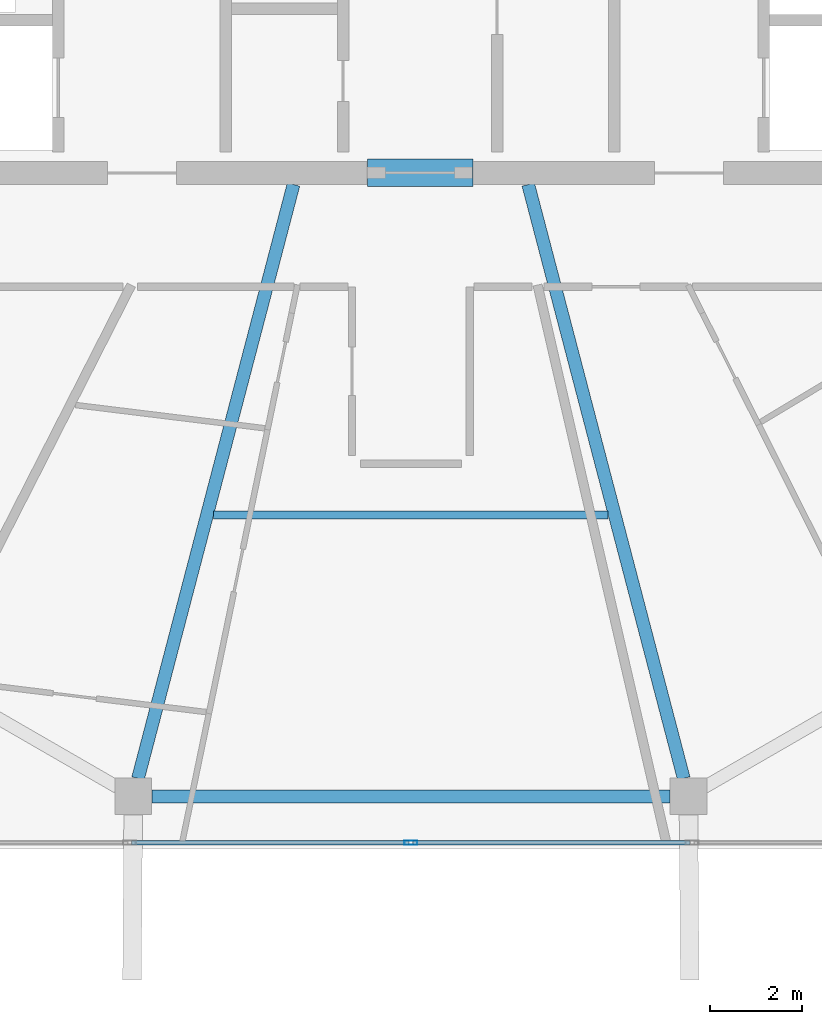
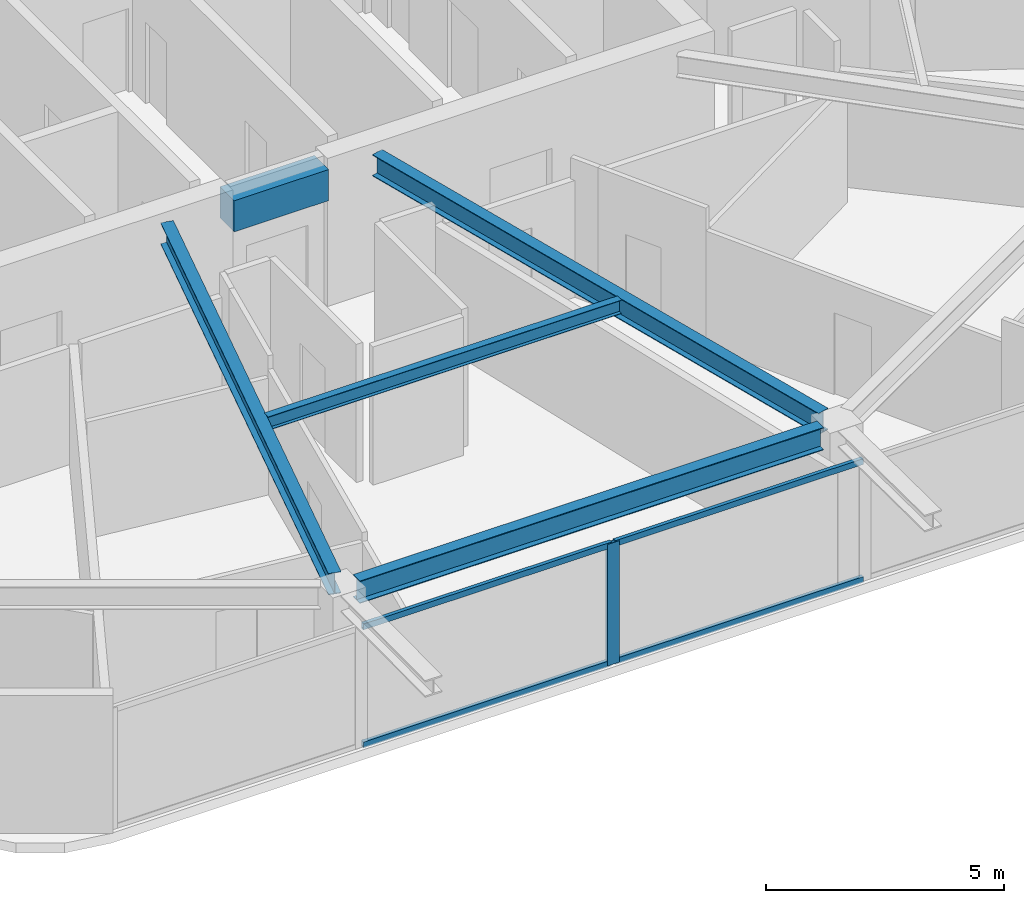
# One storey, part 3 of 21: 5 beams, 5 members, 1 element without a shape of its own.
"""IFC4 building model written with IfcOpenShell, lengths in metres."""

import ifcopenshell
import ifcopenshell.guid

model = None  # the IFC model being written
_history = None  # IfcOwnerHistory: only IFC2X3 demands one
_inside = {}  # id of a spatial element -> (the spatial element, [elements in it])
_under = {}  # id of a project, library or spatial element -> (it, [spatial elements below it])
_declared = {}  # id of a project -> (the project, [libraries it declares])
_typed = {}  # id of a type object -> (the type object, [elements of that type])
_made_of = {}  # id of a material, layer set ... -> (it, [elements and type objects made of it])


def new_model(schema):
    """Start an empty IFC model of exactly this schema.

    Asked for "IFC4X3", IfcOpenShell would pick the latest addendum, in which some entities
    have other attributes; the version numbers below select the first issue.
    IFC2X3 requires an IfcOwnerHistory on every rooted entity: one is made here for all.
    """
    global model, _history
    if schema == "IFC4X3":
        model = ifcopenshell.file(schema_version=(4, 3, 0, 0))
    else:
        model = ifcopenshell.file(schema=schema)
    _inside.clear()
    _under.clear()
    _declared.clear()
    _typed.clear()
    _made_of.clear()
    _history = None
    if model.schema == "IFC2X3":
        org = make("IfcOrganization", Name="unknown")
        user = make(
            "IfcPersonAndOrganization",
            ThePerson=make("IfcPerson", FamilyName="unknown"),
            TheOrganization=org,
        )
        app = make(
            "IfcApplication",
            ApplicationDeveloper=org,
            Version="unknown",
            ApplicationFullName="unknown",
            ApplicationIdentifier="unknown",
        )
        _history = make(
            "IfcOwnerHistory",
            OwningUser=user,
            OwningApplication=app,
            ChangeAction="ADDED",
            CreationDate=0,
        )
    return model


def make(cls, **values):
    """One entity of the class cls with the attributes given. An attribute that is None is left unset."""
    return model.create_entity(
        cls, **{name: value for name, value in values.items() if value is not None}
    )


def rooted(cls, **values):
    """An entity with a GlobalId (a new one), such as an element, a storey or a relation."""
    return make(cls, GlobalId=ifcopenshell.guid.new(), OwnerHistory=_history, **values)


def si_unit(unit_type, name, prefix=None):
    """IfcSIUnit, for example si_unit("LENGTHUNIT", "METRE", prefix="MILLI")."""
    return make("IfcSIUnit", UnitType=unit_type, Prefix=prefix, Name=name)


def assignment(units):
    """IfcUnitAssignment: the units of a project."""
    return None if units is None else make("IfcUnitAssignment", Units=units)


def point(xyz):
    """IfcCartesianPoint."""
    return None if xyz is None else make("IfcCartesianPoint", Coordinates=xyz)


def direction(xyz):
    """IfcDirection."""
    return None if xyz is None else make("IfcDirection", DirectionRatios=xyz)


def frame(location, z_axis=None, x_axis=None):
    """IfcAxis2Placement3D, a coordinate frame: its origin and axes. An axis left out is left unset."""
    return make(
        "IfcAxis2Placement3D",
        Location=point(location),
        Axis=direction(z_axis),
        RefDirection=direction(x_axis),
    )


def frame_2d(location, x_axis=None):
    """IfcAxis2Placement2D, a coordinate frame in the plane: its origin and x axis."""
    return make(
        "IfcAxis2Placement2D", Location=point(location), RefDirection=direction(x_axis)
    )


def origin():
    """The frame at (0, 0, 0) with its axes left unset."""
    return frame((0.0, 0.0, 0.0))


def origin_2d():
    """The frame at (0, 0) in the plane with its x axis left unset."""
    return frame_2d((0.0, 0.0))


def place(relative_to, where):
    """IfcLocalPlacement: puts the frame where relative to a parent placement (None: the world)."""
    return make(
        "IfcLocalPlacement", PlacementRelTo=relative_to, RelativePlacement=where
    )


def context(
    kind, dimensions, precision=None, world=None, true_north=None, identifier=None
):
    """IfcGeometricRepresentationContext, for example the 3D "Model" context."""
    return make(
        "IfcGeometricRepresentationContext",
        ContextIdentifier=identifier,
        ContextType=kind,
        CoordinateSpaceDimension=dimensions,
        Precision=precision,
        WorldCoordinateSystem=world,
        TrueNorth=true_north,
    )


def subcontext(parent, identifier, kind, view, scale=None):
    """IfcGeometricRepresentationSubContext, for example "Body" below "Model"."""
    return make(
        "IfcGeometricRepresentationSubContext",
        ContextIdentifier=identifier,
        ContextType=kind,
        ParentContext=parent,
        TargetScale=scale,
        TargetView=view,
    )


def project(units=None, contexts=None):
    """IfcProject with its units and contexts."""
    return rooted(
        "IfcProject",
        Name="project",
        RepresentationContexts=contexts,
        UnitsInContext=assignment(units),
    )


def spatial(cls, under=None, at=None, **own):
    """A site, building, storey or space (cls), placed at a placement, below another one or the project."""
    s = rooted(cls, ObjectPlacement=at, **own)
    if under is not None:
        _under.setdefault(under.id(), (under, []))[1].append(s)
    return s


def profile(cls, at=None, kind="AREA", **sizes):
    """A parametric profile (cls). Its sizes go by their IFC names, for example OverallWidth=200.0."""
    return make(cls, ProfileType=kind, Position=at, **sizes)


def rectangle(**sizes):
    """IfcRectangleProfileDef."""
    return profile("IfcRectangleProfileDef", **sizes)


def hollow_rectangle(**sizes):
    """IfcRectangleHollowProfileDef."""
    return profile("IfcRectangleHollowProfileDef", **sizes)


def i_section(**sizes):
    """IfcIShapeProfileDef."""
    return profile("IfcIShapeProfileDef", **sizes)


def extrude(swept, where, along, depth):
    """IfcExtrudedAreaSolid: the profile swept, set in the frame where, extruded along a direction by depth."""
    return make(
        "IfcExtrudedAreaSolid",
        SweptArea=swept,
        Position=where,
        ExtrudedDirection=direction(along),
        Depth=depth,
    )


def shape(context_of_items, identifier, shape_type, items):
    """IfcShapeRepresentation: the items that make up one representation, for example the "Body"."""
    return make(
        "IfcShapeRepresentation",
        ContextOfItems=context_of_items,
        RepresentationIdentifier=identifier,
        RepresentationType=shape_type,
        Items=items,
    )


def material(Name=None, Category=None):
    """IfcMaterial."""
    return make("IfcMaterial", Name=Name, Category=Category)


def material_profile(
    of_material, cross_section, Name=None, Category=None, Priority=None
):
    """IfcMaterialProfile: a cross section and its material."""
    return make(
        "IfcMaterialProfile",
        Name=Name,
        Material=of_material,
        Profile=cross_section,
        Priority=Priority,
        Category=Category,
    )


def profile_set(profiles, Name=None, composite=None):
    """IfcMaterialProfileSet."""
    return make(
        "IfcMaterialProfileSet",
        Name=Name,
        MaterialProfiles=profiles,
        CompositeProfile=composite,
    )


def made_of(thing, what):
    """Note that an element or type object is made of a material, layer set ...; save() writes the relation."""
    if what is not None:
        _made_of.setdefault(what.id(), (what, []))[1].append(thing)
    return thing


def type_object(cls, material=None, **own):
    """A type object (cls), such as IfcWallType, which elements share."""
    return made_of(rooted(cls, **own), material)


def element(
    cls,
    number,
    at=None,
    inside=None,
    cuts=None,
    type_object=None,
    material=None,
    context=None,
    identifier="Body",
    shape_type=None,
    held_by="IfcProductDefinitionShape",
    body=None,
    shapes=None,
    **own,
):
    """One element of the class cls, such as IfcWall. Its Tag is "e" and its number.

    at: its placement. inside: the storey or other place that contains it. cuts: it is an
    opening in that element (IfcRelVoidsElement). A single representation is given by context,
    identifier, shape_type and body (its items); several are given by shapes. held_by: the class
    of the entity that holds the representations. save() writes the other relations.
    """
    e = rooted(cls, Tag="e%d" % number, ObjectPlacement=at, **own)
    if body is not None:
        shapes = [shape(context, identifier, shape_type, body)]
    if shapes is not None:
        e.Representation = make(held_by, Representations=shapes)
    if inside is not None:
        _inside.setdefault(inside.id(), (inside, []))[1].append(e)
    if cuts is not None:
        rooted(
            "IfcRelVoidsElement", RelatingBuildingElement=cuts, RelatedOpeningElement=e
        )
    if type_object is not None:
        _typed.setdefault(type_object.id(), (type_object, []))[1].append(e)
    return made_of(e, material)


def aggregate(whole, parts):
    """IfcRelAggregates: a whole, such as a stair, and the parts it consists of."""
    return rooted("IfcRelAggregates", RelatingObject=whole, RelatedObjects=parts)


def save(model, path):
    """Write the relations noted so far, then the file.

    IfcRelAggregates (storeys below a building ...), IfcRelContainedInSpatialStructure (elements
    in a storey), IfcRelDefinesByType, IfcRelAssociatesMaterial and IfcRelDeclares: one each for
    every whole, place, type object, material and project.
    """
    for whole, parts in _under.values():
        aggregate(whole, parts)
    for where, things in _inside.values():
        rooted(
            "IfcRelContainedInSpatialStructure",
            RelatedElements=things,
            RelatingStructure=where,
        )
    for kind, things in _typed.values():
        rooted("IfcRelDefinesByType", RelatedObjects=things, RelatingType=kind)
    for what, things in _made_of.values():
        rooted("IfcRelAssociatesMaterial", RelatedObjects=things, RelatingMaterial=what)
    for by, libraries in _declared.values():
        rooted("IfcRelDeclares", RelatingContext=by, RelatedDefinitions=libraries)
    model.write(path)


model = new_model("IFC4")

# Units and contexts
model_context = context("Model", 3, precision=1e-05, world=origin(), true_north=direction((0.0, 1.0)))
body_context = subcontext(model_context, "Body", "Model", "MODEL_VIEW")
ifc_project = project(units=[si_unit("LENGTHUNIT", "METRE"), si_unit("AREAUNIT", "SQUARE_METRE"), si_unit("VOLUMEUNIT", "CUBIC_METRE"), si_unit("PLANEANGLEUNIT", "RADIAN"), si_unit("MASSUNIT", "GRAM", prefix="KILO")], contexts=[model_context])

# Site, building, storey
site_placement = place(None, origin())
site = spatial("IfcSite", under=ifc_project, at=site_placement, CompositionType="ELEMENT")
building_placement = place(site_placement, origin())
building = spatial("IfcBuilding", under=site, at=building_placement, Name="Zuhravey Tower", CompositionType="ELEMENT")
storey_placement = place(building_placement, frame((0.0, 0.0, 319.60009765625)))
storey = spatial("IfcBuildingStorey", under=building, at=storey_placement, Name="L81", CompositionType="ELEMENT", Elevation=319.60009765625)

# Beam
ifc_material_1 = material(Name="Concrete C50/60", Category="concrete")
ifc_material_profile_1 = material_profile(ifc_material_1, rectangle(XDim=0.60009765625, YDim=0.800048828125, at=origin_2d()), Name="RC-600x800")
ifc_profile_set_1 = profile_set([ifc_material_profile_1], Name="Concrete C50/60")
beam_type_1 = type_object("IfcBeamType", Name="Core Coupling Beam RC600x800", PredefinedType="LINTEL", material=ifc_profile_set_1)
beam_1_placement = place(storey_placement, frame((35.052001953125, 22.5, 3.14990234375), z_axis=(1.0, 0.0, 0.0), x_axis=(0.0, 1.0, 0.0)))
element("IfcBeam", 1, at=beam_1_placement, inside=storey, type_object=beam_type_1, Name="L81 CB2 BM-L81-CB-S", PredefinedType="LINTEL", context=body_context, shape_type="SweptSolid", body=[
    extrude(rectangle(XDim=0.60009765625, YDim=0.800048828125, at=origin_2d()), origin(), (0.0, 0.0, 1.0), 2.2958984375),
])

# Curtain wall, members
ifc_material_2 = material(Name="Thermally broken anodised aluminium", Category="aluminium")
curtain_wall_type = type_object("IfcCurtainWallType", Name="Zone 3-4 High-Rise Curtain Wall CW4", PredefinedType="NOTDEFINED", material=ifc_material_2)
curtain_wall_placement = place(storey_placement, origin())
curtain_wall = element("IfcCurtainWall", 2, at=curtain_wall_placement, inside=storey, type_object=curtain_wall_type, Name="L81 CW4 CW-L81-F5-1", PredefinedType="NOTDEFINED")
ifc_material_3 = material(Name="Anodised aluminium", Category="aluminium")
ifc_material_profile_2 = material_profile(ifc_material_3, hollow_rectangle(XDim=0.090087890625, YDim=0.284912109375, WallThickness=0.0048828125, at=origin_2d()), Name="ALU-RHS-90x285x5")
ifc_profile_set_2 = profile_set([ifc_material_profile_2], Name="Anodised aluminium")
member_type_1 = type_object("IfcMemberType", Name="Curtain-Wall Mullion 90x180", PredefinedType="MULLION", material=ifc_profile_set_2)
member_1_placement = place(storey_placement, frame((36.0, 7.92578125, 0.0), z_axis=(0.0, 0.0, 1.0), x_axis=(0.0, -1.0, 0.0)))
member_1 = element("IfcMember", 3, at=member_1_placement, type_object=member_type_1, Name="CW4 mullion 3", PredefinedType="MULLION", context=body_context, shape_type="SweptSolid", body=[
    extrude(hollow_rectangle(XDim=0.090087890625, YDim=0.284912109375, WallThickness=0.0048828125, at=origin_2d()), origin(), (0.0, 0.0, 1.0), 3.121826171875),
])
ifc_material_profile_3 = material_profile(ifc_material_3, hollow_rectangle(XDim=0.090087890625, YDim=0.14990234375, WallThickness=0.0048828125, at=origin_2d()), Name="ALU-RHS-90x150x5")
ifc_profile_set_3 = profile_set([ifc_material_profile_3], Name="Anodised aluminium")
member_type_2 = type_object("IfcMemberType", Name="Curtain-Wall Transom 90x150", PredefinedType="USERDEFINED", material=ifc_profile_set_3)
member_2_placement = place(storey_placement, frame((42.07470703125, 7.92578125, 0.044921875), z_axis=(-1.0, 0.0, 0.0), x_axis=(0.0, -1.0, 0.0)))
member_2 = element("IfcMember", 4, at=member_2_placement, type_object=member_type_2, Name="CW4 transom 2.1", ObjectType="TRANSOM", PredefinedType="USERDEFINED", context=body_context, shape_type="SweptSolid", body=[
    extrude(hollow_rectangle(XDim=0.090087890625, YDim=0.14990234375, WallThickness=0.0048828125, at=origin_2d()), origin(), (0.0, 0.0, 1.0), 6.02978515625),
])
member_3_placement = place(storey_placement, frame((42.07470703125, 7.92578125, 3.076904296875), z_axis=(-1.0, 0.0, 0.0), x_axis=(0.0, -1.0, 0.0)))
member_3 = element("IfcMember", 5, at=member_3_placement, type_object=member_type_2, Name="CW4 transom 2.2", ObjectType="TRANSOM", PredefinedType="USERDEFINED", context=body_context, shape_type="SweptSolid", body=[
    extrude(hollow_rectangle(XDim=0.090087890625, YDim=0.14990234375, WallThickness=0.0048828125, at=origin_2d()), origin(), (0.0, 0.0, 1.0), 6.02978515625),
])
member_4_placement = place(storey_placement, frame((35.955078125, 7.92578125, 0.044921875), z_axis=(-1.0, 0.0, 0.0), x_axis=(0.0, -1.0, 0.0)))
member_4 = element("IfcMember", 6, at=member_4_placement, type_object=member_type_2, Name="CW4 transom 3.1", ObjectType="TRANSOM", PredefinedType="USERDEFINED", context=body_context, shape_type="SweptSolid", body=[
    extrude(hollow_rectangle(XDim=0.090087890625, YDim=0.14990234375, WallThickness=0.0048828125, at=origin_2d()), origin(), (0.0, 0.0, 1.0), 6.02978515625),
])
member_5_placement = place(storey_placement, frame((35.955078125, 7.92578125, 3.076904296875), z_axis=(-1.0, 0.0, 0.0), x_axis=(0.0, -1.0, 0.0)))
member_5 = element("IfcMember", 7, at=member_5_placement, type_object=member_type_2, Name="CW4 transom 3.2", ObjectType="TRANSOM", PredefinedType="USERDEFINED", context=body_context, shape_type="SweptSolid", body=[
    extrude(hollow_rectangle(XDim=0.090087890625, YDim=0.14990234375, WallThickness=0.0048828125, at=origin_2d()), origin(), (0.0, 0.0, 1.0), 6.02978515625),
])
aggregate(curtain_wall, [member_1, member_2, member_3, member_4, member_5])

# Beams
ifc_material_4 = material(Name="Steel SM355", Category="steel")
ifc_material_profile_4 = material_profile(ifc_material_4, i_section(OverallWidth=0.280029296875, OverallDepth=0.580078125, WebThickness=0.011962890625, FlangeThickness=0.01904296875, at=origin_2d()), Name="H-580x280x12x19")
ifc_profile_set_4 = profile_set([ifc_material_profile_4], Name="Steel SM355")
beam_type_2 = type_object("IfcBeamType", Name="Perimeter Ring Beam H580x280", PredefinedType="BEAM", material=ifc_profile_set_4)
beam_2_placement = place(storey_placement, frame((30.3642578125, 8.935791015625, 3.260009765625), z_axis=(1.0, 0.0, 0.0), x_axis=(0.0, 1.0, 0.0)))
element("IfcBeam", 8, at=beam_2_placement, inside=storey, type_object=beam_type_2, Name="L81 PB4 BM-L81-PB-09", PredefinedType="BEAM", context=body_context, shape_type="SweptSolid", body=[
    extrude(i_section(OverallWidth=0.280029296875, OverallDepth=0.580078125, WebThickness=0.011962890625, FlangeThickness=0.01904296875, at=origin_2d()), origin(), (0.0, 0.0, 1.0), 11.271484375),
])
ifc_material_profile_5 = material_profile(ifc_material_4, i_section(OverallWidth=0.280029296875, OverallDepth=0.550048828125, WebThickness=0.010986328125, FlangeThickness=0.01806640625, at=origin_2d()), Name="H-550x280x11x18")
ifc_profile_set_5 = profile_set([ifc_material_profile_5], Name="Steel SM355")
beam_type_3 = type_object("IfcBeamType", Name="Radial Primary Girder H550x280", PredefinedType="BEAM", material=ifc_profile_set_5)
for number, where, z_axis, x_axis, name in (
    (9, (33.446533203125, 22.2470703125, 3.27490234375), (-0.253281197106, -0.967392699576, 0.0), (0.967392699576, -0.253281197106, 0.0), "L81 RG4 BM-L81-RAD-09"),
    (10, (38.553466796875, 22.2470703125, 3.27490234375), (0.253281197106, -0.967392699576, 0.0), (0.967392699576, 0.253281197106, 0.0), "L81 RG4 BM-L81-RAD-10"),
):
    element("IfcBeam", number, at=place(storey_placement, frame(where, z_axis=z_axis, x_axis=x_axis)), inside=storey, type_object=beam_type_3, Name=name, PredefinedType="BEAM", context=body_context, shape_type="SweptSolid", body=[
        extrude(i_section(OverallWidth=0.280029296875, OverallDepth=0.550048828125, WebThickness=0.010986328125, FlangeThickness=0.01806640625, at=origin_2d()), origin(), (0.0, 0.0, 1.0), 13.35693359375),
    ])
ifc_material_profile_6 = material_profile(ifc_material_4, i_section(OverallWidth=0.175048828125, OverallDepth=0.35009765625, WebThickness=0.007080078125, FlangeThickness=0.010986328125, at=origin_2d()), Name="H-350x175x7x11")
ifc_profile_set_6 = profile_set([ifc_material_profile_6], Name="Steel SM355")
beam_type_4 = type_object("IfcBeamType", Name="Secondary Floor Joist H350x175", PredefinedType="JOIST", material=ifc_profile_set_6)
beam_3_placement = place(storey_placement, frame((31.70849609375, 15.05908203125, 3.375), z_axis=(1.0, 0.0, 0.0), x_axis=(0.0, 1.0, 0.0)))
element("IfcBeam", 11, at=beam_3_placement, inside=storey, type_object=beam_type_4, Name="L81 SJ3 BM-L81-SJ-09-1", PredefinedType="JOIST", context=body_context, shape_type="SweptSolid", body=[
    extrude(i_section(OverallWidth=0.175048828125, OverallDepth=0.35009765625, WebThickness=0.007080078125, FlangeThickness=0.010986328125, at=origin_2d()), origin(), (0.0, 0.0, 1.0), 8.5830078125),
])

save(model, "model.ifc")
